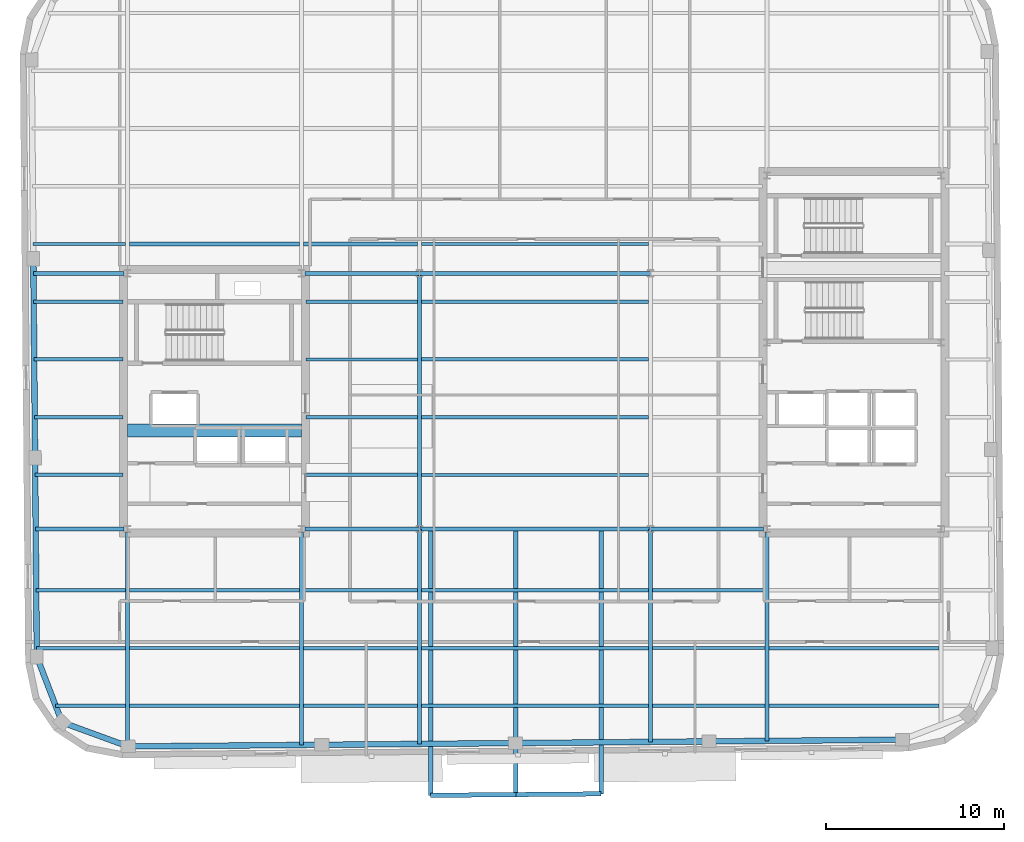
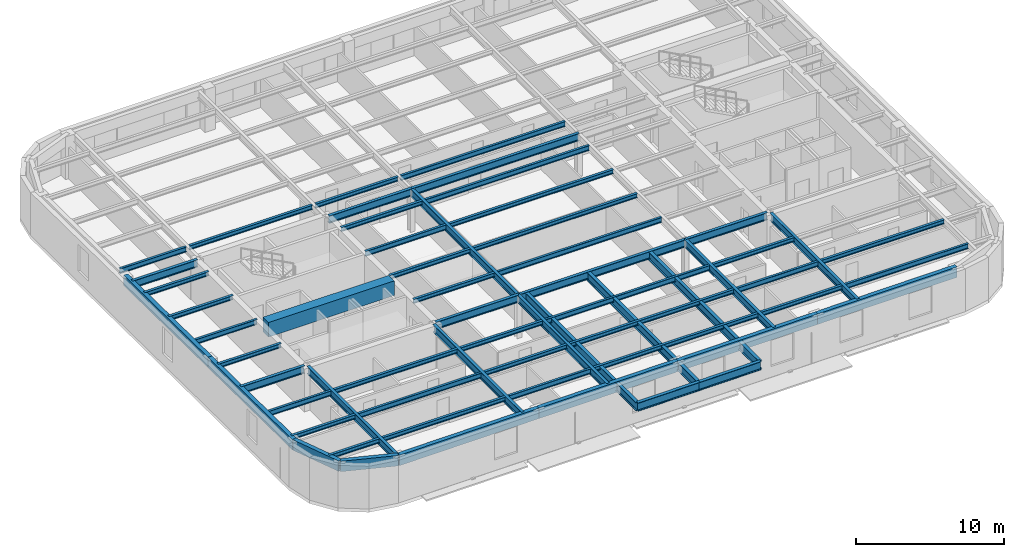
# One storey, part 4 of 14: 60 beams.
"""IFC4 building model written with IfcOpenShell, lengths in metres."""

from ifc_helpers import new_model, si_unit, direction, frame, origin, origin_2d, place, context, subcontext, project, spatial, rectangle, hollow_rectangle, i_section, extrude, material, material_profile, profile_set, type_object, element, save


model = new_model("IFC4")

# Units and contexts
model_context = context("Model", 3, precision=1e-05, world=origin(), true_north=direction((0.0, 1.0)))
body_context = subcontext(model_context, "Body", "Model", "MODEL_VIEW")
ifc_project = project(units=[si_unit("LENGTHUNIT", "METRE"), si_unit("AREAUNIT", "SQUARE_METRE"), si_unit("VOLUMEUNIT", "CUBIC_METRE"), si_unit("PLANEANGLEUNIT", "RADIAN"), si_unit("MASSUNIT", "GRAM", prefix="KILO")], contexts=[model_context])

# Site, building, storey
site_placement = place(None, origin())
site = spatial("IfcSite", under=ifc_project, at=site_placement, CompositionType="ELEMENT")
building_placement = place(site_placement, origin())
building = spatial("IfcBuilding", under=site, at=building_placement, Name="Kolvaren Arena Tower", CompositionType="ELEMENT")
storey_placement = place(building_placement, frame((0.0, 0.0, 308.64990234375)))
storey = spatial("IfcBuildingStorey", under=building, at=storey_placement, Name="L76", CompositionType="ELEMENT", Elevation=308.64990234375)

# Beams
ifc_material_1 = material(Name="Steel CSA G40.21 350W", Category="steel")
ifc_material_profile_1 = material_profile(ifc_material_1, i_section(OverallWidth=0.180908203125, OverallDepth=0.4169921875, WebThickness=0.010986328125, FlangeThickness=0.018310546875, FilletRadius=0.011962890625, at=origin_2d()), Name="W410x85")
ifc_profile_set_1 = profile_set([ifc_material_profile_1], Name="Steel CSA G40.21 350W")
beam_type_1 = type_object("IfcBeamType", Name="BEAM-F3", PredefinedType="BEAM", material=ifc_profile_set_1)
beam_1_placement = place(storey_placement, frame((24.464111328125, 9.5, 3.301513671875), z_axis=(1.0, 0.0, 0.0), x_axis=(0.0, 1.0, 0.0)))
element("IfcBeam", 1, at=beam_1_placement, inside=storey, type_object=beam_type_1, Name="Composite Floor Beam (L76)", PredefinedType="BEAM", context=body_context, shape_type="SweptSolid", body=[
    extrude(i_section(OverallWidth=0.180908203125, OverallDepth=0.4169921875, WebThickness=0.010986328125, FlangeThickness=0.018310546875, FilletRadius=0.011962890625, at=origin_2d()), origin(), (0.0, 0.0, 1.0), 6.421875),
])
for number, where, z_axis, x_axis, name in (
    (2, (50.6640625, 9.5, 3.301513671875), (1.0, 0.0, 0.0), (0.0, 1.0, 0.0), "Composite Floor Beam (L76)"),
    (3, (14.6640625, 12.75, 3.301513671875), (1.0, 0.0, 0.0), (0.0, 1.0, 0.0), "Composite Floor Beam (L76)"),
):
    element("IfcBeam", number, at=place(storey_placement, frame(where, z_axis=z_axis, x_axis=x_axis)), inside=storey, type_object=beam_type_1, Name=name, PredefinedType="BEAM", context=body_context, shape_type="SweptSolid", body=[
        extrude(i_section(OverallWidth=0.180908203125, OverallDepth=0.4169921875, WebThickness=0.010986328125, FlangeThickness=0.018310546875, FilletRadius=0.011962890625, at=origin_2d()), origin(), (0.0, 0.0, 1.0), 9.572021484375),
    ])
beam_2_placement = place(storey_placement, frame((44.114013671875, 12.75, 3.301513671875), z_axis=(1.0, 0.0, 0.0), x_axis=(0.0, 1.0, 0.0)))
element("IfcBeam", 4, at=beam_2_placement, inside=storey, type_object=beam_type_1, Name="Composite Floor Beam (L76)", PredefinedType="BEAM", context=body_context, shape_type="SweptSolid", body=[
    extrude(i_section(OverallWidth=0.180908203125, OverallDepth=0.4169921875, WebThickness=0.010986328125, FlangeThickness=0.018310546875, FilletRadius=0.011962890625, at=origin_2d()), origin(), (0.0, 0.0, 1.0), 6.322021484375),
])
beam_3_placement = place(storey_placement, frame((9.4150390625, 16.0, 3.301513671875), z_axis=(1.0, 0.0, 0.0), x_axis=(0.0, 1.0, 0.0)))
element("IfcBeam", 5, at=beam_3_placement, inside=storey, type_object=beam_type_1, Name="Composite Floor Beam (L76)", PredefinedType="BEAM", context=body_context, shape_type="SweptSolid", body=[
    extrude(i_section(OverallWidth=0.180908203125, OverallDepth=0.4169921875, WebThickness=0.010986328125, FlangeThickness=0.018310546875, FilletRadius=0.011962890625, at=origin_2d()), origin(), (0.0, 0.0, 1.0), 5.02099609375),
])
for number, where, z_axis, x_axis, name in (
    (6, (31.114013671875, 16.0, 3.301513671875), (1.0, 0.0, 0.0), (0.0, 1.0, 0.0), "Composite Floor Beam (L76)"),
    (7, (31.114013671875, 22.5, 3.301513671875), (1.0, 0.0, 0.0), (0.0, 1.0, 0.0), "Composite Floor Beam (L76)"),
):
    element("IfcBeam", number, at=place(storey_placement, frame(where, z_axis=z_axis, x_axis=x_axis)), inside=storey, type_object=beam_type_1, Name=name, PredefinedType="BEAM", context=body_context, shape_type="SweptSolid", body=[
        extrude(i_section(OverallWidth=0.180908203125, OverallDepth=0.4169921875, WebThickness=0.010986328125, FlangeThickness=0.018310546875, FilletRadius=0.011962890625, at=origin_2d()), origin(), (0.0, 0.0, 1.0), 12.77197265625),
    ])
beam_4_placement = place(storey_placement, frame((9.330078125, 25.75, 3.301513671875), z_axis=(1.0, 0.0, 0.0), x_axis=(0.0, 1.0, 0.0)))
element("IfcBeam", 8, at=beam_4_placement, inside=storey, type_object=beam_type_1, Name="Composite Floor Beam (L76)", PredefinedType="BEAM", context=body_context, shape_type="SweptSolid", body=[
    extrude(i_section(OverallWidth=0.180908203125, OverallDepth=0.4169921875, WebThickness=0.010986328125, FlangeThickness=0.018310546875, FilletRadius=0.011962890625, at=origin_2d()), origin(), (0.0, 0.0, 1.0), 4.974853515625),
])
beam_5_placement = place(storey_placement, frame((24.594970703125, 29.0, 3.301513671875), z_axis=(1.0, 0.0, 0.0), x_axis=(0.0, 1.0, 0.0)))
element("IfcBeam", 9, at=beam_5_placement, inside=storey, type_object=beam_type_1, Name="Composite Floor Beam (L76)", PredefinedType="BEAM", context=body_context, shape_type="SweptSolid", body=[
    extrude(i_section(OverallWidth=0.180908203125, OverallDepth=0.4169921875, WebThickness=0.010986328125, FlangeThickness=0.018310546875, FilletRadius=0.011962890625, at=origin_2d()), origin(), (0.0, 0.0, 1.0), 6.291015625),
])
beam_6_placement = place(storey_placement, frame((31.114013671875, 32.25, 3.301513671875), z_axis=(1.0, 0.0, 0.0), x_axis=(0.0, 1.0, 0.0)))
element("IfcBeam", 10, at=beam_6_placement, inside=storey, type_object=beam_type_1, Name="Composite Floor Beam (L76)", PredefinedType="BEAM", context=body_context, shape_type="SweptSolid", body=[
    extrude(i_section(OverallWidth=0.180908203125, OverallDepth=0.4169921875, WebThickness=0.010986328125, FlangeThickness=0.018310546875, FilletRadius=0.011962890625, at=origin_2d()), origin(), (0.0, 0.0, 1.0), 12.77197265625),
])
beam_7_placement = place(storey_placement, frame((9.244873046875, 35.5, 3.301513671875), z_axis=(1.0, 0.0, 0.0), x_axis=(0.0, 1.0, 0.0)))
element("IfcBeam", 11, at=beam_7_placement, inside=storey, type_object=beam_type_1, Name="Composite Floor Beam (L76)", PredefinedType="BEAM", context=body_context, shape_type="SweptSolid", body=[
    extrude(i_section(OverallWidth=0.180908203125, OverallDepth=0.4169921875, WebThickness=0.010986328125, FlangeThickness=0.018310546875, FilletRadius=0.011962890625, at=origin_2d()), origin(), (0.0, 0.0, 1.0), 5.191162109375),
])
beam_8_placement = place(storey_placement, frame((31.114013671875, 35.5, 3.301513671875), z_axis=(1.0, 0.0, 0.0), x_axis=(0.0, 1.0, 0.0)))
element("IfcBeam", 12, at=beam_8_placement, inside=storey, type_object=beam_type_1, Name="Composite Floor Beam (L76)", PredefinedType="BEAM", context=body_context, shape_type="SweptSolid", body=[
    extrude(i_section(OverallWidth=0.180908203125, OverallDepth=0.4169921875, WebThickness=0.010986328125, FlangeThickness=0.018310546875, FilletRadius=0.011962890625, at=origin_2d()), origin(), (0.0, 0.0, 1.0), 12.77197265625),
])
ifc_material_2 = material(Name="Concrete 60 MPa", Category="concrete")
ifc_material_profile_2 = material_profile(ifc_material_2, rectangle(XDim=0.75, YDim=1.199951171875, at=origin_2d()), Name="RC-750x1200")
ifc_profile_set_2 = profile_set([ifc_material_profile_2], Name="Concrete 60 MPa")
beam_type_2 = type_object("IfcBeamType", Name="CB-CORE-2", PredefinedType="BEAM", material=ifc_profile_set_2)
beam_9_placement = place(storey_placement, frame((14.550048828125, 25.0, 3.18017578125), z_axis=(1.0, 0.0, 0.0), x_axis=(0.0, 1.0, 0.0)))
element("IfcBeam", 13, at=beam_9_placement, inside=storey, type_object=beam_type_2, Name="West Core Coupling Beam (L76)", PredefinedType="BEAM", context=body_context, shape_type="SweptSolid", body=[
    extrude(rectangle(XDim=0.75, YDim=1.199951171875, at=origin_2d()), origin(), (0.0, 0.0, 1.0), 9.800048828125),
])
ifc_material_profile_3 = material_profile(ifc_material_1, i_section(OverallWidth=0.2548828125, OverallDepth=0.695068359375, WebThickness=0.01708984375, FlangeThickness=0.02978515625, FilletRadius=0.01611328125, at=origin_2d()), Name="W690x217")
ifc_profile_set_3 = profile_set([ifc_material_profile_3], Name="Steel CSA G40.21 350W")
beam_type_3 = type_object("IfcBeamType", Name="GIRD-T2", PredefinedType="BEAM", material=ifc_profile_set_3)
beam_10_placement = place(storey_placement, frame((31.61669921875, 19.449951171875, 3.152587890625), z_axis=(0.0, -1.0, 0.0), x_axis=(1.0, 0.0, 0.0)))
element("IfcBeam", 14, at=beam_10_placement, inside=storey, type_object=beam_type_3, Name="Terrace Cantilever Support Girder (L77)", PredefinedType="BEAM", context=body_context, shape_type="SweptSolid", body=[
    extrude(i_section(OverallWidth=0.2548828125, OverallDepth=0.695068359375, WebThickness=0.01708984375, FlangeThickness=0.02978515625, FilletRadius=0.01611328125, at=origin_2d()), origin(), (0.0, 0.0, 1.0), 14.990966796875),
])
beam_11_placement = place(storey_placement, frame((36.41650390625, 19.449951171875, 3.152587890625), z_axis=(0.0, -1.0, 0.0), x_axis=(1.0, 0.0, 0.0)))
element("IfcBeam", 15, at=beam_11_placement, inside=storey, type_object=beam_type_3, Name="Terrace Cantilever Support Girder (L77)", PredefinedType="BEAM", context=body_context, shape_type="SweptSolid", body=[
    extrude(i_section(OverallWidth=0.2548828125, OverallDepth=0.695068359375, WebThickness=0.01708984375, FlangeThickness=0.02978515625, FilletRadius=0.01611328125, at=origin_2d()), origin(), (0.0, 0.0, 1.0), 14.948974609375),
])
beam_12_placement = place(storey_placement, frame((41.21630859375, 19.449951171875, 3.152587890625), z_axis=(0.0, -1.0, 0.0), x_axis=(1.0, 0.0, 0.0)))
element("IfcBeam", 16, at=beam_12_placement, inside=storey, type_object=beam_type_3, Name="Terrace Cantilever Support Girder (L77)", PredefinedType="BEAM", context=body_context, shape_type="SweptSolid", body=[
    extrude(i_section(OverallWidth=0.2548828125, OverallDepth=0.695068359375, WebThickness=0.01708984375, FlangeThickness=0.02978515625, FilletRadius=0.01611328125, at=origin_2d()), origin(), (0.0, 0.0, 1.0), 14.9072265625),
])
for number, where, z_axis, x_axis, name in (
    (17, (31.61669921875, 4.458984375, 3.152587890625), (0.999961732073, 0.008748393587, 0.0), (-0.008748393587, 0.999961732073, 0.0), "Terrace Edge Fascia Beam (L77)"),
    (18, (36.41650390625, 4.5009765625, 3.152587890625), (0.99996217573, 0.008697534692, 0.0), (-0.008697534692, 0.99996217573, 0.0), "Terrace Edge Fascia Beam (L77)"),
):
    element("IfcBeam", number, at=place(storey_placement, frame(where, z_axis=z_axis, x_axis=x_axis)), inside=storey, type_object=beam_type_3, Name=name, PredefinedType="BEAM", context=body_context, shape_type="SweptSolid", body=[
        extrude(i_section(OverallWidth=0.2548828125, OverallDepth=0.695068359375, WebThickness=0.01708984375, FlangeThickness=0.02978515625, FilletRadius=0.01611328125, at=origin_2d()), origin(), (0.0, 0.0, 1.0), 4.800048828125),
    ])
ifc_material_profile_4 = material_profile(ifc_material_1, i_section(OverallWidth=0.22802734375, OverallDepth=0.615966796875, WebThickness=0.013916015625, FlangeThickness=0.02490234375, FilletRadius=0.014892578125, at=origin_2d()), Name="W610x174")
ifc_profile_set_4 = profile_set([ifc_material_profile_4], Name="Steel CSA G40.21 350W")
beam_type_4 = type_object("IfcBeamType", Name="GIRD-T3", PredefinedType="BEAM", material=ifc_profile_set_4)
beam_13_placement = place(storey_placement, frame((9.385009765625, 19.449951171875, 3.2021484375), z_axis=(1.0, 0.0, 0.0), x_axis=(0.0, 1.0, 0.0)))
element("IfcBeam", 19, at=beam_13_placement, inside=storey, type_object=beam_type_4, Name="Primary Floor Girder (L76)", PredefinedType="BEAM", context=body_context, shape_type="SweptSolid", body=[
    extrude(i_section(OverallWidth=0.22802734375, OverallDepth=0.615966796875, WebThickness=0.013916015625, FlangeThickness=0.02490234375, FilletRadius=0.014892578125, at=origin_2d()), origin(), (0.0, 0.0, 1.0), 4.9599609375),
])
beam_14_placement = place(storey_placement, frame((24.554931640625, 19.449951171875, 3.2021484375), z_axis=(1.0, 0.0, 0.0), x_axis=(0.0, 1.0, 0.0)))
element("IfcBeam", 20, at=beam_14_placement, inside=storey, type_object=beam_type_4, Name="Primary Floor Girder (L76)", PredefinedType="BEAM", context=body_context, shape_type="SweptSolid", body=[
    extrude(i_section(OverallWidth=0.22802734375, OverallDepth=0.615966796875, WebThickness=0.013916015625, FlangeThickness=0.02490234375, FilletRadius=0.014892578125, at=origin_2d()), origin(), (0.0, 0.0, 1.0), 6.445068359375),
])
beam_15_placement = place(storey_placement, frame((31.0, 19.449951171875, 3.2021484375), z_axis=(1.0, 0.0, 0.0), x_axis=(0.0, 1.0, 0.0)))
element("IfcBeam", 21, at=beam_15_placement, inside=storey, type_object=beam_type_4, Name="Primary Floor Girder (L76)", PredefinedType="BEAM", context=body_context, shape_type="SweptSolid", body=[
    extrude(i_section(OverallWidth=0.22802734375, OverallDepth=0.615966796875, WebThickness=0.013916015625, FlangeThickness=0.02490234375, FilletRadius=0.014892578125, at=origin_2d()), origin(), (0.0, 0.0, 1.0), 13.0),
])
beam_16_placement = place(storey_placement, frame((44.0, 19.449951171875, 3.2021484375), z_axis=(1.0, 0.0, 0.0), x_axis=(0.0, 1.0, 0.0)))
element("IfcBeam", 22, at=beam_16_placement, inside=storey, type_object=beam_type_4, Name="Primary Floor Girder (L76)", PredefinedType="BEAM", context=body_context, shape_type="SweptSolid", body=[
    extrude(i_section(OverallWidth=0.22802734375, OverallDepth=0.615966796875, WebThickness=0.013916015625, FlangeThickness=0.02490234375, FilletRadius=0.014892578125, at=origin_2d()), origin(), (0.0, 0.0, 1.0), 6.344970703125),
])
beam_17_placement = place(storey_placement, frame((9.25927734375, 33.85009765625, 3.2021484375), z_axis=(1.0, 0.0, 0.0), x_axis=(0.0, 1.0, 0.0)))
element("IfcBeam", 23, at=beam_17_placement, inside=storey, type_object=beam_type_4, Name="Primary Floor Girder (L76)", PredefinedType="BEAM", context=body_context, shape_type="SweptSolid", body=[
    extrude(i_section(OverallWidth=0.22802734375, OverallDepth=0.615966796875, WebThickness=0.013916015625, FlangeThickness=0.02490234375, FilletRadius=0.014892578125, at=origin_2d()), origin(), (0.0, 0.0, 1.0), 5.085693359375),
])
beam_18_placement = place(storey_placement, frame((24.554931640625, 33.85009765625, 3.2021484375), z_axis=(1.0, 0.0, 0.0), x_axis=(0.0, 1.0, 0.0)))
element("IfcBeam", 24, at=beam_18_placement, inside=storey, type_object=beam_type_4, Name="Primary Floor Girder (L76)", PredefinedType="BEAM", context=body_context, shape_type="SweptSolid", body=[
    extrude(i_section(OverallWidth=0.22802734375, OverallDepth=0.615966796875, WebThickness=0.013916015625, FlangeThickness=0.02490234375, FilletRadius=0.014892578125, at=origin_2d()), origin(), (0.0, 0.0, 1.0), 6.445068359375),
])
beam_19_placement = place(storey_placement, frame((31.0, 33.85009765625, 3.2021484375), z_axis=(1.0, 0.0, 0.0), x_axis=(0.0, 1.0, 0.0)))
element("IfcBeam", 25, at=beam_19_placement, inside=storey, type_object=beam_type_4, Name="Primary Floor Girder (L76)", PredefinedType="BEAM", context=body_context, shape_type="SweptSolid", body=[
    extrude(i_section(OverallWidth=0.22802734375, OverallDepth=0.615966796875, WebThickness=0.013916015625, FlangeThickness=0.02490234375, FilletRadius=0.014892578125, at=origin_2d()), origin(), (0.0, 0.0, 1.0), 13.0),
])
beam_20_placement = place(storey_placement, frame((14.550048828125, 7.225830078125, 3.2021484375), z_axis=(0.0, 1.0, 0.0), x_axis=(-1.0, 0.0, 0.0)))
element("IfcBeam", 26, at=beam_20_placement, inside=storey, type_object=beam_type_4, Name="Primary Floor Girder (L76)", PredefinedType="BEAM", context=body_context, shape_type="SweptSolid", body=[
    extrude(i_section(OverallWidth=0.22802734375, OverallDepth=0.615966796875, WebThickness=0.013916015625, FlangeThickness=0.02490234375, FilletRadius=0.014892578125, at=origin_2d()), origin(), (0.0, 0.0, 1.0), 12.019287109375),
])
beam_21_placement = place(storey_placement, frame((24.35009765625, 7.295654296875, 3.2021484375), z_axis=(0.0, 1.0, 0.0), x_axis=(-1.0, 0.0, 0.0)))
element("IfcBeam", 27, at=beam_21_placement, inside=storey, type_object=beam_type_4, Name="Primary Floor Girder (L76)", PredefinedType="BEAM", context=body_context, shape_type="SweptSolid", body=[
    extrude(i_section(OverallWidth=0.22802734375, OverallDepth=0.615966796875, WebThickness=0.013916015625, FlangeThickness=0.02490234375, FilletRadius=0.014892578125, at=origin_2d()), origin(), (0.0, 0.0, 1.0), 11.949462890625),
])
beam_22_placement = place(storey_placement, frame((31.0, 7.353759765625, 3.2021484375), z_axis=(0.0, 1.0, 0.0), x_axis=(-1.0, 0.0, 0.0)))
element("IfcBeam", 28, at=beam_22_placement, inside=storey, type_object=beam_type_4, Name="Primary Floor Girder (L76)", PredefinedType="BEAM", context=body_context, shape_type="SweptSolid", body=[
    extrude(i_section(OverallWidth=0.22802734375, OverallDepth=0.615966796875, WebThickness=0.013916015625, FlangeThickness=0.02490234375, FilletRadius=0.014892578125, at=origin_2d()), origin(), (0.0, 0.0, 1.0), 12.09619140625),
])
beam_23_placement = place(storey_placement, frame((31.0, 19.449951171875, 3.2021484375), z_axis=(0.0, 1.0, 0.0), x_axis=(-1.0, 0.0, 0.0)))
element("IfcBeam", 29, at=beam_23_placement, inside=storey, type_object=beam_type_4, Name="Primary Floor Girder (L76)", PredefinedType="BEAM", context=body_context, shape_type="SweptSolid", body=[
    extrude(i_section(OverallWidth=0.22802734375, OverallDepth=0.615966796875, WebThickness=0.013916015625, FlangeThickness=0.02490234375, FilletRadius=0.014892578125, at=origin_2d()), origin(), (0.0, 0.0, 1.0), 14.400146484375),
])
beam_24_placement = place(storey_placement, frame((44.0, 7.46728515625, 3.2021484375), z_axis=(0.0, 1.0, 0.0), x_axis=(-1.0, 0.0, 0.0)))
element("IfcBeam", 30, at=beam_24_placement, inside=storey, type_object=beam_type_4, Name="Primary Floor Girder (L76)", PredefinedType="BEAM", context=body_context, shape_type="SweptSolid", body=[
    extrude(i_section(OverallWidth=0.22802734375, OverallDepth=0.615966796875, WebThickness=0.013916015625, FlangeThickness=0.02490234375, FilletRadius=0.014892578125, at=origin_2d()), origin(), (0.0, 0.0, 1.0), 11.982666015625),
])
beam_25_placement = place(storey_placement, frame((50.550048828125, 7.5244140625, 3.2021484375), z_axis=(0.0, 1.0, 0.0), x_axis=(-1.0, 0.0, 0.0)))
element("IfcBeam", 31, at=beam_25_placement, inside=storey, type_object=beam_type_4, Name="Primary Floor Girder (L76)", PredefinedType="BEAM", context=body_context, shape_type="SweptSolid", body=[
    extrude(i_section(OverallWidth=0.22802734375, OverallDepth=0.615966796875, WebThickness=0.013916015625, FlangeThickness=0.02490234375, FilletRadius=0.014892578125, at=origin_2d()), origin(), (0.0, 0.0, 1.0), 11.720703125),
])
ifc_material_profile_5 = material_profile(ifc_material_1, i_section(OverallWidth=0.202880859375, OverallDepth=0.346923828125, WebThickness=0.0078125, FlangeThickness=0.013427734375, FilletRadius=0.010986328125, at=origin_2d()), Name="W360x64")
ifc_profile_set_5 = profile_set([ifc_material_profile_5], Name="Steel CSA G40.21 350W")
beam_type_5 = type_object("IfcBeamType", Name="JOIST-01", PredefinedType="JOIST", material=ifc_profile_set_5)
beam_26_placement = place(storey_placement, frame((10.5126953125, 9.5, 3.336669921875), z_axis=(1.0, 0.0, 0.0), x_axis=(0.0, 1.0, 0.0)))
element("IfcBeam", 32, at=beam_26_placement, inside=storey, type_object=beam_type_5, Name="Composite Floor Joist (L76)", PredefinedType="JOIST", context=body_context, shape_type="SweptSolid", body=[
    extrude(i_section(OverallWidth=0.202880859375, OverallDepth=0.346923828125, WebThickness=0.0078125, FlangeThickness=0.013427734375, FilletRadius=0.010986328125, at=origin_2d()), origin(), (0.0, 0.0, 1.0), 3.92333984375),
])
beam_27_placement = place(storey_placement, frame((14.6640625, 9.5, 3.336669921875), z_axis=(1.0, 0.0, 0.0), x_axis=(0.0, 1.0, 0.0)))
element("IfcBeam", 33, at=beam_27_placement, inside=storey, type_object=beam_type_5, Name="Composite Floor Joist (L76)", PredefinedType="JOIST", context=body_context, shape_type="SweptSolid", body=[
    extrude(i_section(OverallWidth=0.202880859375, OverallDepth=0.346923828125, WebThickness=0.0078125, FlangeThickness=0.013427734375, FilletRadius=0.010986328125, at=origin_2d()), origin(), (0.0, 0.0, 1.0), 9.572021484375),
])
beam_28_placement = place(storey_placement, frame((31.114013671875, 9.5, 3.336669921875), z_axis=(1.0, 0.0, 0.0), x_axis=(0.0, 1.0, 0.0)))
element("IfcBeam", 34, at=beam_28_placement, inside=storey, type_object=beam_type_5, Name="Composite Floor Joist (L76)", PredefinedType="JOIST", context=body_context, shape_type="SweptSolid", body=[
    extrude(i_section(OverallWidth=0.202880859375, OverallDepth=0.346923828125, WebThickness=0.0078125, FlangeThickness=0.013427734375, FilletRadius=0.010986328125, at=origin_2d()), origin(), (0.0, 0.0, 1.0), 12.77197265625),
])
beam_29_placement = place(storey_placement, frame((44.114013671875, 9.5, 3.336669921875), z_axis=(1.0, 0.0, 0.0), x_axis=(0.0, 1.0, 0.0)))
element("IfcBeam", 35, at=beam_29_placement, inside=storey, type_object=beam_type_5, Name="Composite Floor Joist (L76)", PredefinedType="JOIST", context=body_context, shape_type="SweptSolid", body=[
    extrude(i_section(OverallWidth=0.202880859375, OverallDepth=0.346923828125, WebThickness=0.0078125, FlangeThickness=0.013427734375, FilletRadius=0.010986328125, at=origin_2d()), origin(), (0.0, 0.0, 1.0), 6.322021484375),
])
beam_30_placement = place(storey_placement, frame((9.443359375, 12.75, 3.336669921875), z_axis=(1.0, 0.0, 0.0), x_axis=(0.0, 1.0, 0.0)))
element("IfcBeam", 36, at=beam_30_placement, inside=storey, type_object=beam_type_5, Name="Composite Floor Joist (L76)", PredefinedType="JOIST", context=body_context, shape_type="SweptSolid", body=[
    extrude(i_section(OverallWidth=0.202880859375, OverallDepth=0.346923828125, WebThickness=0.0078125, FlangeThickness=0.013427734375, FilletRadius=0.010986328125, at=origin_2d()), origin(), (0.0, 0.0, 1.0), 4.99267578125),
])
beam_31_placement = place(storey_placement, frame((24.464111328125, 12.75, 3.336669921875), z_axis=(1.0, 0.0, 0.0), x_axis=(0.0, 1.0, 0.0)))
element("IfcBeam", 37, at=beam_31_placement, inside=storey, type_object=beam_type_5, Name="Composite Floor Joist (L76)", PredefinedType="JOIST", context=body_context, shape_type="SweptSolid", body=[
    extrude(i_section(OverallWidth=0.202880859375, OverallDepth=0.346923828125, WebThickness=0.0078125, FlangeThickness=0.013427734375, FilletRadius=0.010986328125, at=origin_2d()), origin(), (0.0, 0.0, 1.0), 6.421875),
])
beam_32_placement = place(storey_placement, frame((31.114013671875, 12.75, 3.336669921875), z_axis=(1.0, 0.0, 0.0), x_axis=(0.0, 1.0, 0.0)))
element("IfcBeam", 38, at=beam_32_placement, inside=storey, type_object=beam_type_5, Name="Composite Floor Joist (L76)", PredefinedType="JOIST", context=body_context, shape_type="SweptSolid", body=[
    extrude(i_section(OverallWidth=0.202880859375, OverallDepth=0.346923828125, WebThickness=0.0078125, FlangeThickness=0.013427734375, FilletRadius=0.010986328125, at=origin_2d()), origin(), (0.0, 0.0, 1.0), 12.77197265625),
])
for number, where, z_axis, x_axis, name in (
    (39, (50.6640625, 12.75, 3.336669921875), (1.0, 0.0, 0.0), (0.0, 1.0, 0.0), "Composite Floor Joist (L76)"),
    (40, (14.6640625, 16.0, 3.336669921875), (1.0, 0.0, 0.0), (0.0, 1.0, 0.0), "Composite Floor Joist (L76)"),
):
    element("IfcBeam", number, at=place(storey_placement, frame(where, z_axis=z_axis, x_axis=x_axis)), inside=storey, type_object=beam_type_5, Name=name, PredefinedType="JOIST", context=body_context, shape_type="SweptSolid", body=[
        extrude(i_section(OverallWidth=0.202880859375, OverallDepth=0.346923828125, WebThickness=0.0078125, FlangeThickness=0.013427734375, FilletRadius=0.010986328125, at=origin_2d()), origin(), (0.0, 0.0, 1.0), 9.572021484375),
    ])
beam_33_placement = place(storey_placement, frame((24.464111328125, 16.0, 3.336669921875), z_axis=(1.0, 0.0, 0.0), x_axis=(0.0, 1.0, 0.0)))
element("IfcBeam", 41, at=beam_33_placement, inside=storey, type_object=beam_type_5, Name="Composite Floor Joist (L76)", PredefinedType="JOIST", context=body_context, shape_type="SweptSolid", body=[
    extrude(i_section(OverallWidth=0.202880859375, OverallDepth=0.346923828125, WebThickness=0.0078125, FlangeThickness=0.013427734375, FilletRadius=0.010986328125, at=origin_2d()), origin(), (0.0, 0.0, 1.0), 6.421875),
])
beam_34_placement = place(storey_placement, frame((44.114013671875, 16.0, 3.336669921875), z_axis=(1.0, 0.0, 0.0), x_axis=(0.0, 1.0, 0.0)))
element("IfcBeam", 42, at=beam_34_placement, inside=storey, type_object=beam_type_5, Name="Composite Floor Joist (L76)", PredefinedType="JOIST", context=body_context, shape_type="SweptSolid", body=[
    extrude(i_section(OverallWidth=0.202880859375, OverallDepth=0.346923828125, WebThickness=0.0078125, FlangeThickness=0.013427734375, FilletRadius=0.010986328125, at=origin_2d()), origin(), (0.0, 0.0, 1.0), 6.322021484375),
])
beam_35_placement = place(storey_placement, frame((9.3583984375, 22.5, 3.336669921875), z_axis=(1.0, 0.0, 0.0), x_axis=(0.0, 1.0, 0.0)))
element("IfcBeam", 43, at=beam_35_placement, inside=storey, type_object=beam_type_5, Name="Composite Floor Joist (L76)", PredefinedType="JOIST", context=body_context, shape_type="SweptSolid", body=[
    extrude(i_section(OverallWidth=0.202880859375, OverallDepth=0.346923828125, WebThickness=0.0078125, FlangeThickness=0.013427734375, FilletRadius=0.010986328125, at=origin_2d()), origin(), (0.0, 0.0, 1.0), 4.946533203125),
])
for number, where, z_axis, x_axis, name in (
    (44, (24.594970703125, 22.5, 3.336669921875), (1.0, 0.0, 0.0), (0.0, 1.0, 0.0), "Composite Floor Joist (L76)"),
    (45, (24.594970703125, 25.75, 3.336669921875), (1.0, 0.0, 0.0), (0.0, 1.0, 0.0), "Composite Floor Joist (L76)"),
):
    element("IfcBeam", number, at=place(storey_placement, frame(where, z_axis=z_axis, x_axis=x_axis)), inside=storey, type_object=beam_type_5, Name=name, PredefinedType="JOIST", context=body_context, shape_type="SweptSolid", body=[
        extrude(i_section(OverallWidth=0.202880859375, OverallDepth=0.346923828125, WebThickness=0.0078125, FlangeThickness=0.013427734375, FilletRadius=0.010986328125, at=origin_2d()), origin(), (0.0, 0.0, 1.0), 6.291015625),
    ])
beam_36_placement = place(storey_placement, frame((31.114013671875, 25.75, 3.336669921875), z_axis=(1.0, 0.0, 0.0), x_axis=(0.0, 1.0, 0.0)))
element("IfcBeam", 46, at=beam_36_placement, inside=storey, type_object=beam_type_5, Name="Composite Floor Joist (L76)", PredefinedType="JOIST", context=body_context, shape_type="SweptSolid", body=[
    extrude(i_section(OverallWidth=0.202880859375, OverallDepth=0.346923828125, WebThickness=0.0078125, FlangeThickness=0.013427734375, FilletRadius=0.010986328125, at=origin_2d()), origin(), (0.0, 0.0, 1.0), 12.77197265625),
])
beam_37_placement = place(storey_placement, frame((9.301513671875, 29.0, 3.336669921875), z_axis=(1.0, 0.0, 0.0), x_axis=(0.0, 1.0, 0.0)))
element("IfcBeam", 47, at=beam_37_placement, inside=storey, type_object=beam_type_5, Name="Composite Floor Joist (L76)", PredefinedType="JOIST", context=body_context, shape_type="SweptSolid", body=[
    extrude(i_section(OverallWidth=0.202880859375, OverallDepth=0.346923828125, WebThickness=0.0078125, FlangeThickness=0.013427734375, FilletRadius=0.010986328125, at=origin_2d()), origin(), (0.0, 0.0, 1.0), 5.00341796875),
])
beam_38_placement = place(storey_placement, frame((31.114013671875, 29.0, 3.336669921875), z_axis=(1.0, 0.0, 0.0), x_axis=(0.0, 1.0, 0.0)))
element("IfcBeam", 48, at=beam_38_placement, inside=storey, type_object=beam_type_5, Name="Composite Floor Joist (L76)", PredefinedType="JOIST", context=body_context, shape_type="SweptSolid", body=[
    extrude(i_section(OverallWidth=0.202880859375, OverallDepth=0.346923828125, WebThickness=0.0078125, FlangeThickness=0.013427734375, FilletRadius=0.010986328125, at=origin_2d()), origin(), (0.0, 0.0, 1.0), 12.77197265625),
])
beam_39_placement = place(storey_placement, frame((9.273193359375, 32.25, 3.336669921875), z_axis=(1.0, 0.0, 0.0), x_axis=(0.0, 1.0, 0.0)))
element("IfcBeam", 49, at=beam_39_placement, inside=storey, type_object=beam_type_5, Name="Composite Floor Joist (L76)", PredefinedType="JOIST", context=body_context, shape_type="SweptSolid", body=[
    extrude(i_section(OverallWidth=0.202880859375, OverallDepth=0.346923828125, WebThickness=0.0078125, FlangeThickness=0.013427734375, FilletRadius=0.010986328125, at=origin_2d()), origin(), (0.0, 0.0, 1.0), 5.03173828125),
])
beam_40_placement = place(storey_placement, frame((24.594970703125, 32.25, 3.336669921875), z_axis=(1.0, 0.0, 0.0), x_axis=(0.0, 1.0, 0.0)))
element("IfcBeam", 50, at=beam_40_placement, inside=storey, type_object=beam_type_5, Name="Composite Floor Joist (L76)", PredefinedType="JOIST", context=body_context, shape_type="SweptSolid", body=[
    extrude(i_section(OverallWidth=0.202880859375, OverallDepth=0.346923828125, WebThickness=0.0078125, FlangeThickness=0.013427734375, FilletRadius=0.010986328125, at=origin_2d()), origin(), (0.0, 0.0, 1.0), 6.291015625),
])
beam_41_placement = place(storey_placement, frame((14.6640625, 35.5, 3.336669921875), z_axis=(1.0, 0.0, 0.0), x_axis=(0.0, 1.0, 0.0)))
element("IfcBeam", 51, at=beam_41_placement, inside=storey, type_object=beam_type_5, Name="Composite Floor Joist (L76)", PredefinedType="JOIST", context=body_context, shape_type="SweptSolid", body=[
    extrude(i_section(OverallWidth=0.202880859375, OverallDepth=0.346923828125, WebThickness=0.0078125, FlangeThickness=0.013427734375, FilletRadius=0.010986328125, at=origin_2d()), origin(), (0.0, 0.0, 1.0), 9.572021484375),
])
beam_42_placement = place(storey_placement, frame((24.464111328125, 35.5, 3.336669921875), z_axis=(1.0, 0.0, 0.0), x_axis=(0.0, 1.0, 0.0)))
element("IfcBeam", 52, at=beam_42_placement, inside=storey, type_object=beam_type_5, Name="Composite Floor Joist (L76)", PredefinedType="JOIST", context=body_context, shape_type="SweptSolid", body=[
    extrude(i_section(OverallWidth=0.202880859375, OverallDepth=0.346923828125, WebThickness=0.0078125, FlangeThickness=0.013427734375, FilletRadius=0.010986328125, at=origin_2d()), origin(), (0.0, 0.0, 1.0), 6.421875),
])
ifc_material_3 = material(Name="Steel CSA G40.21 350WT", Category="steel")
ifc_material_profile_6 = material_profile(ifc_material_3, hollow_rectangle(XDim=0.320068359375, YDim=0.860107421875, WallThickness=0.01806640625, at=origin_2d()), Name="HSS 860x320x18")
ifc_profile_set_6 = profile_set([ifc_material_profile_6], Name="Steel CSA G40.21 350WT")
beam_type_6 = type_object("IfcBeamType", Name="SPAND-02", PredefinedType="SPANDREL", material=ifc_profile_set_6)
for number, where, z_axis, x_axis, name in (
    (53, (14.591796875, 7.210693359375, 3.080078125), (0.999962042393, 0.008712851036, 0.0), (-0.008712851036, 0.999962042393, 0.0), "Perimeter Spandrel Beam (L76)"),
    (54, (25.491455078125, 7.3056640625, 3.080078125), (0.999961846999, 0.008735247404, 0.0), (-0.008735247404, 0.999961846999, 0.0), "Perimeter Spandrel Beam (L76)"),
    (55, (36.39111328125, 7.40087890625, 3.080078125), (0.999961846999, 0.008735247404, 0.0), (-0.008735247404, 0.999961846999, 0.0), "Perimeter Spandrel Beam (L76)"),
):
    element("IfcBeam", number, at=place(storey_placement, frame(where, z_axis=z_axis, x_axis=x_axis)), inside=storey, type_object=beam_type_6, Name=name, PredefinedType="SPANDREL", context=body_context, shape_type="SweptSolid", body=[
        extrude(hollow_rectangle(XDim=0.320068359375, YDim=0.860107421875, WallThickness=0.01806640625, at=origin_2d()), origin(), (0.0, 0.0, 1.0), 10.900146484375),
    ])
beam_43_placement = place(storey_placement, frame((47.290771484375, 7.49609375, 3.080078125), z_axis=(0.999962040693, 0.008713046184, 0.0), x_axis=(-0.008713046184, 0.999962040693, 0.0)))
element("IfcBeam", 56, at=beam_43_placement, inside=storey, type_object=beam_type_6, Name="Perimeter Spandrel Beam (L76)", PredefinedType="SPANDREL", context=body_context, shape_type="SweptSolid", body=[
    extrude(hollow_rectangle(XDim=0.320068359375, YDim=0.860107421875, WallThickness=0.01806640625, at=origin_2d()), origin(), (0.0, 0.0, 1.0), 10.89990234375),
])
beam_44_placement = place(storey_placement, frame((9.252197265625, 34.6650390625, 3.080078125), z_axis=(0.008719394723, -0.999961985355, 0.0), x_axis=(0.999961985355, 0.008719394723, 0.0)))
element("IfcBeam", 57, at=beam_44_placement, inside=storey, type_object=beam_type_6, Name="Perimeter Spandrel Beam (L76)", PredefinedType="SPANDREL", context=body_context, shape_type="SweptSolid", body=[
    extrude(hollow_rectangle(XDim=0.320068359375, YDim=0.860107421875, WallThickness=0.01806640625, at=origin_2d()), origin(), (0.0, 0.0, 1.0), 11.199951171875),
])
beam_45_placement = place(storey_placement, frame((9.349853515625, 23.465576171875, 3.080078125), z_axis=(0.008719204665, -0.999961987013, 0.0), x_axis=(0.999961987013, 0.008719204665, 0.0)))
element("IfcBeam", 58, at=beam_45_placement, inside=storey, type_object=beam_type_6, Name="Perimeter Spandrel Beam (L76)", PredefinedType="SPANDREL", context=body_context, shape_type="SweptSolid", body=[
    extrude(hollow_rectangle(XDim=0.320068359375, YDim=0.860107421875, WallThickness=0.01806640625, at=origin_2d()), origin(), (0.0, 0.0, 1.0), 11.2001953125),
])
beam_46_placement = place(storey_placement, frame((9.447509765625, 12.265869140625, 3.080078125), z_axis=(0.359383792094, -0.933189846698, 0.0), x_axis=(0.933189846698, 0.359383792094, 0.0)))
element("IfcBeam", 59, at=beam_46_placement, inside=storey, type_object=beam_type_6, Name="Perimeter Spandrel Beam (L76)", PredefinedType="SPANDREL", context=body_context, shape_type="SweptSolid", body=[
    extrude(hollow_rectangle(XDim=0.320068359375, YDim=0.860107421875, WallThickness=0.01806640625, at=origin_2d()), origin(), (0.0, 0.0, 1.0), 3.961181640625),
])
beam_47_placement = place(storey_placement, frame((10.87109375, 8.5693359375, 3.080078125), z_axis=(0.939333679924, -0.343004719736, 0.0), x_axis=(0.343004719736, 0.939333679924, 0.0)))
element("IfcBeam", 60, at=beam_47_placement, inside=storey, type_object=beam_type_6, Name="Perimeter Spandrel Beam (L76)", PredefinedType="SPANDREL", context=body_context, shape_type="SweptSolid", body=[
    extrude(hollow_rectangle(XDim=0.320068359375, YDim=0.860107421875, WallThickness=0.01806640625, at=origin_2d()), origin(), (0.0, 0.0, 1.0), 3.9609375),
])

save(model, "model.ifc")
